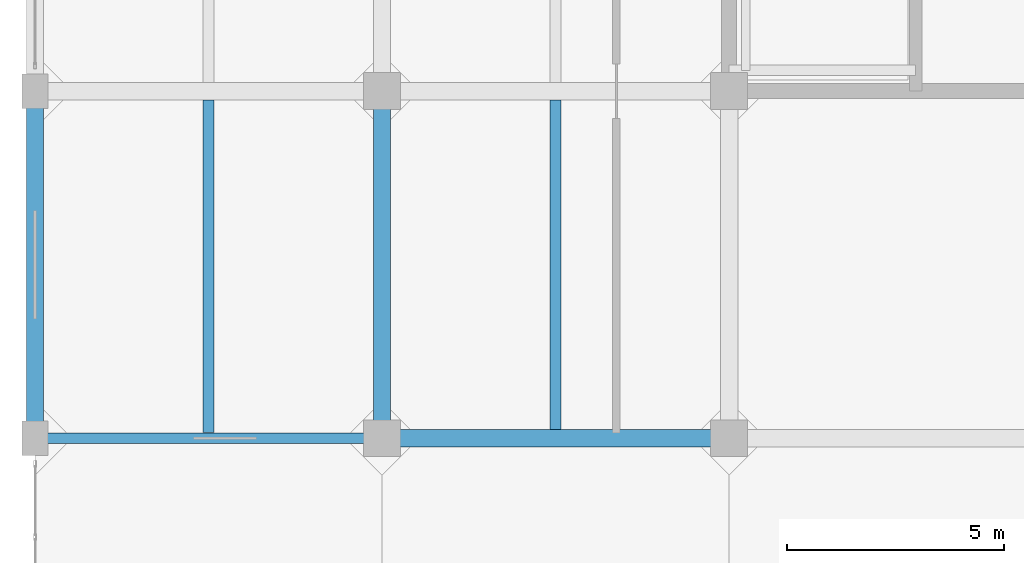
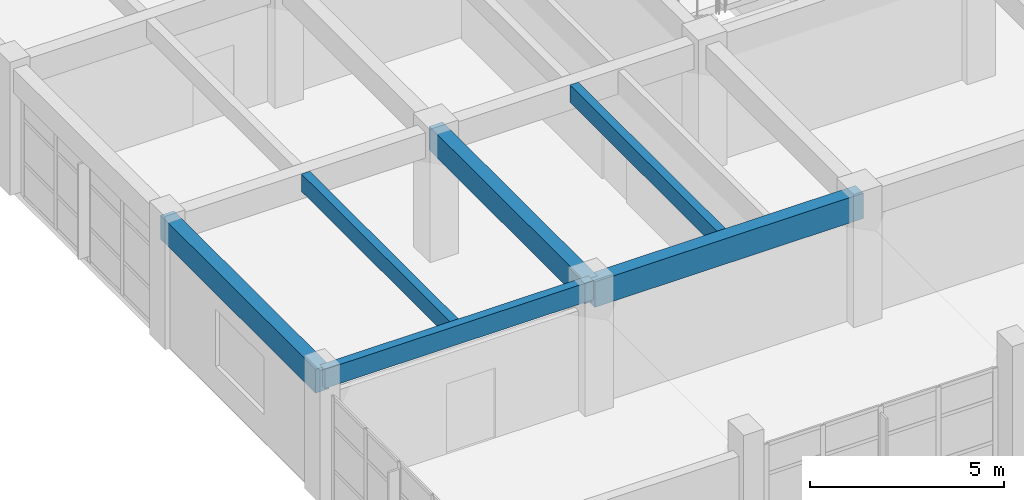
# One storey, part 4 of 27: 6 beams.
"""IFC4 building model written with IfcOpenShell, lengths in metres."""

import ifcopenshell
import ifcopenshell.guid

model = None  # the IFC model being written
_history = None  # IfcOwnerHistory: only IFC2X3 demands one
_inside = {}  # id of a spatial element -> (the spatial element, [elements in it])
_under = {}  # id of a project, library or spatial element -> (it, [spatial elements below it])
_declared = {}  # id of a project -> (the project, [libraries it declares])
_typed = {}  # id of a type object -> (the type object, [elements of that type])
_made_of = {}  # id of a material, layer set ... -> (it, [elements and type objects made of it])


def new_model(schema):
    """Start an empty IFC model of exactly this schema.

    Asked for "IFC4X3", IfcOpenShell would pick the latest addendum, in which some entities
    have other attributes; the version numbers below select the first issue.
    IFC2X3 requires an IfcOwnerHistory on every rooted entity: one is made here for all.
    """
    global model, _history
    if schema == "IFC4X3":
        model = ifcopenshell.file(schema_version=(4, 3, 0, 0))
    else:
        model = ifcopenshell.file(schema=schema)
    _inside.clear()
    _under.clear()
    _declared.clear()
    _typed.clear()
    _made_of.clear()
    _history = None
    if model.schema == "IFC2X3":
        org = make("IfcOrganization", Name="unknown")
        user = make(
            "IfcPersonAndOrganization",
            ThePerson=make("IfcPerson", FamilyName="unknown"),
            TheOrganization=org,
        )
        app = make(
            "IfcApplication",
            ApplicationDeveloper=org,
            Version="unknown",
            ApplicationFullName="unknown",
            ApplicationIdentifier="unknown",
        )
        _history = make(
            "IfcOwnerHistory",
            OwningUser=user,
            OwningApplication=app,
            ChangeAction="ADDED",
            CreationDate=0,
        )
    return model


def make(cls, **values):
    """One entity of the class cls with the attributes given. An attribute that is None is left unset."""
    return model.create_entity(
        cls, **{name: value for name, value in values.items() if value is not None}
    )


def rooted(cls, **values):
    """An entity with a GlobalId (a new one), such as an element, a storey or a relation."""
    return make(cls, GlobalId=ifcopenshell.guid.new(), OwnerHistory=_history, **values)


def si_unit(unit_type, name, prefix=None):
    """IfcSIUnit, for example si_unit("LENGTHUNIT", "METRE", prefix="MILLI")."""
    return make("IfcSIUnit", UnitType=unit_type, Prefix=prefix, Name=name)


def assignment(units):
    """IfcUnitAssignment: the units of a project."""
    return None if units is None else make("IfcUnitAssignment", Units=units)


def point(xyz):
    """IfcCartesianPoint."""
    return None if xyz is None else make("IfcCartesianPoint", Coordinates=xyz)


def direction(xyz):
    """IfcDirection."""
    return None if xyz is None else make("IfcDirection", DirectionRatios=xyz)


def frame(location, z_axis=None, x_axis=None):
    """IfcAxis2Placement3D, a coordinate frame: its origin and axes. An axis left out is left unset."""
    return make(
        "IfcAxis2Placement3D",
        Location=point(location),
        Axis=direction(z_axis),
        RefDirection=direction(x_axis),
    )


def frame_2d(location, x_axis=None):
    """IfcAxis2Placement2D, a coordinate frame in the plane: its origin and x axis."""
    return make(
        "IfcAxis2Placement2D", Location=point(location), RefDirection=direction(x_axis)
    )


def origin():
    """The frame at (0, 0, 0) with its axes left unset."""
    return frame((0.0, 0.0, 0.0))


def origin_2d():
    """The frame at (0, 0) in the plane with its x axis left unset."""
    return frame_2d((0.0, 0.0))


def place(relative_to, where):
    """IfcLocalPlacement: puts the frame where relative to a parent placement (None: the world)."""
    return make(
        "IfcLocalPlacement", PlacementRelTo=relative_to, RelativePlacement=where
    )


def context(
    kind, dimensions, precision=None, world=None, true_north=None, identifier=None
):
    """IfcGeometricRepresentationContext, for example the 3D "Model" context."""
    return make(
        "IfcGeometricRepresentationContext",
        ContextIdentifier=identifier,
        ContextType=kind,
        CoordinateSpaceDimension=dimensions,
        Precision=precision,
        WorldCoordinateSystem=world,
        TrueNorth=true_north,
    )


def subcontext(parent, identifier, kind, view, scale=None):
    """IfcGeometricRepresentationSubContext, for example "Body" below "Model"."""
    return make(
        "IfcGeometricRepresentationSubContext",
        ContextIdentifier=identifier,
        ContextType=kind,
        ParentContext=parent,
        TargetScale=scale,
        TargetView=view,
    )


def project(units=None, contexts=None):
    """IfcProject with its units and contexts."""
    return rooted(
        "IfcProject",
        Name="project",
        RepresentationContexts=contexts,
        UnitsInContext=assignment(units),
    )


def spatial(cls, under=None, at=None, **own):
    """A site, building, storey or space (cls), placed at a placement, below another one or the project."""
    s = rooted(cls, ObjectPlacement=at, **own)
    if under is not None:
        _under.setdefault(under.id(), (under, []))[1].append(s)
    return s


def profile(cls, at=None, kind="AREA", **sizes):
    """A parametric profile (cls). Its sizes go by their IFC names, for example OverallWidth=200.0."""
    return make(cls, ProfileType=kind, Position=at, **sizes)


def rectangle(**sizes):
    """IfcRectangleProfileDef."""
    return profile("IfcRectangleProfileDef", **sizes)


def extrude(swept, where, along, depth):
    """IfcExtrudedAreaSolid: the profile swept, set in the frame where, extruded along a direction by depth."""
    return make(
        "IfcExtrudedAreaSolid",
        SweptArea=swept,
        Position=where,
        ExtrudedDirection=direction(along),
        Depth=depth,
    )


def shape(context_of_items, identifier, shape_type, items):
    """IfcShapeRepresentation: the items that make up one representation, for example the "Body"."""
    return make(
        "IfcShapeRepresentation",
        ContextOfItems=context_of_items,
        RepresentationIdentifier=identifier,
        RepresentationType=shape_type,
        Items=items,
    )


def material(Name=None, Category=None):
    """IfcMaterial."""
    return make("IfcMaterial", Name=Name, Category=Category)


def material_profile(
    of_material, cross_section, Name=None, Category=None, Priority=None
):
    """IfcMaterialProfile: a cross section and its material."""
    return make(
        "IfcMaterialProfile",
        Name=Name,
        Material=of_material,
        Profile=cross_section,
        Priority=Priority,
        Category=Category,
    )


def profile_set(profiles, Name=None, composite=None):
    """IfcMaterialProfileSet."""
    return make(
        "IfcMaterialProfileSet",
        Name=Name,
        MaterialProfiles=profiles,
        CompositeProfile=composite,
    )


def made_of(thing, what):
    """Note that an element or type object is made of a material, layer set ...; save() writes the relation."""
    if what is not None:
        _made_of.setdefault(what.id(), (what, []))[1].append(thing)
    return thing


def type_object(cls, material=None, **own):
    """A type object (cls), such as IfcWallType, which elements share."""
    return made_of(rooted(cls, **own), material)


def element(
    cls,
    number,
    at=None,
    inside=None,
    cuts=None,
    type_object=None,
    material=None,
    context=None,
    identifier="Body",
    shape_type=None,
    held_by="IfcProductDefinitionShape",
    body=None,
    shapes=None,
    **own,
):
    """One element of the class cls, such as IfcWall. Its Tag is "e" and its number.

    at: its placement. inside: the storey or other place that contains it. cuts: it is an
    opening in that element (IfcRelVoidsElement). A single representation is given by context,
    identifier, shape_type and body (its items); several are given by shapes. held_by: the class
    of the entity that holds the representations. save() writes the other relations.
    """
    e = rooted(cls, Tag="e%d" % number, ObjectPlacement=at, **own)
    if body is not None:
        shapes = [shape(context, identifier, shape_type, body)]
    if shapes is not None:
        e.Representation = make(held_by, Representations=shapes)
    if inside is not None:
        _inside.setdefault(inside.id(), (inside, []))[1].append(e)
    if cuts is not None:
        rooted(
            "IfcRelVoidsElement", RelatingBuildingElement=cuts, RelatedOpeningElement=e
        )
    if type_object is not None:
        _typed.setdefault(type_object.id(), (type_object, []))[1].append(e)
    return made_of(e, material)


def aggregate(whole, parts):
    """IfcRelAggregates: a whole, such as a stair, and the parts it consists of."""
    return rooted("IfcRelAggregates", RelatingObject=whole, RelatedObjects=parts)


def save(model, path):
    """Write the relations noted so far, then the file.

    IfcRelAggregates (storeys below a building ...), IfcRelContainedInSpatialStructure (elements
    in a storey), IfcRelDefinesByType, IfcRelAssociatesMaterial and IfcRelDeclares: one each for
    every whole, place, type object, material and project.
    """
    for whole, parts in _under.values():
        aggregate(whole, parts)
    for where, things in _inside.values():
        rooted(
            "IfcRelContainedInSpatialStructure",
            RelatedElements=things,
            RelatingStructure=where,
        )
    for kind, things in _typed.values():
        rooted("IfcRelDefinesByType", RelatedObjects=things, RelatingType=kind)
    for what, things in _made_of.values():
        rooted("IfcRelAssociatesMaterial", RelatedObjects=things, RelatingMaterial=what)
    for by, libraries in _declared.values():
        rooted("IfcRelDeclares", RelatingContext=by, RelatedDefinitions=libraries)
    model.write(path)


model = new_model("IFC4")

# Units and contexts
model_context = context("Model", 3, precision=1e-05, world=origin(), true_north=direction((0.0, 1.0)))
body_context = subcontext(model_context, "Body", "Model", "MODEL_VIEW")
ifc_project = project(units=[si_unit("LENGTHUNIT", "METRE"), si_unit("AREAUNIT", "SQUARE_METRE"), si_unit("VOLUMEUNIT", "CUBIC_METRE"), si_unit("PLANEANGLEUNIT", "RADIAN"), si_unit("MASSUNIT", "GRAM", prefix="KILO")], contexts=[model_context])

# Site, building, storey
site_placement = place(None, origin())
site = spatial("IfcSite", under=ifc_project, at=site_placement, CompositionType="ELEMENT")
building_placement = place(site_placement, origin())
building = spatial("IfcBuilding", under=site, at=building_placement, Name="Canggui Botanical Conservatory", CompositionType="ELEMENT")
storey_placement = place(building_placement, frame((0.0, 0.0, 23.39990234375)))
storey = spatial("IfcBuildingStorey", under=building, at=storey_placement, Name="L06", CompositionType="ELEMENT", Elevation=23.39990234375)

# Beams
ifc_material = material(Name="Concrete C35", Category="concrete")
ifc_material_profile_1 = material_profile(ifc_material, rectangle(XDim=0.25, YDim=0.550048828125, at=origin_2d()), Name="RB 250x550")
ifc_profile_set_1 = profile_set([ifc_material_profile_1], Name="Concrete C35")
beam_type_1 = type_object("IfcBeamType", Name="BM-JST03", PredefinedType="JOIST", material=ifc_profile_set_1)
beam_1_placement = place(storey_placement, frame((142.0, 34.1298828125, 3.68505859375), z_axis=(0.0, 1.0, 0.0), x_axis=(-1.0, 0.0, 0.0)))
element("IfcBeam", 1, at=beam_1_placement, inside=storey, type_object=beam_type_1, Name="Secondary Floor Joist L06-1-1", PredefinedType="JOIST", context=body_context, shape_type="SweptSolid", body=[
    extrude(rectangle(XDim=0.25, YDim=0.550048828125, at=origin_2d()), origin(), (0.0, 0.0, 1.0), 7.6650390625),
])
beam_2_placement = place(storey_placement, frame((150.0, 34.205078125, 3.68505859375), z_axis=(0.0, 1.0, 0.0), x_axis=(-1.0, 0.0, 0.0)))
element("IfcBeam", 2, at=beam_2_placement, inside=storey, type_object=beam_type_1, Name="Secondary Floor Joist L06-2-1", PredefinedType="JOIST", context=body_context, shape_type="SweptSolid", body=[
    extrude(rectangle(XDim=0.25, YDim=0.550048828125, at=origin_2d()), origin(), (0.0, 0.0, 1.0), 7.58984375),
])
ifc_material_profile_2 = material_profile(ifc_material, rectangle(XDim=0.39990234375, YDim=0.800048828125, at=origin_2d()), Name="RB 400x800")
ifc_profile_set_2 = profile_set([ifc_material_profile_2], Name="Concrete C35")
beam_type_2 = type_object("IfcBeamType", Name="BM-KL09", PredefinedType="BEAM", material=ifc_profile_set_2)
beam_3_placement = place(storey_placement, frame((146.0, 34.0, 3.56005859375), z_axis=(1.0, 0.0, 0.0), x_axis=(0.0, 1.0, 0.0)))
element("IfcBeam", 3, at=beam_3_placement, inside=storey, type_object=beam_type_2, Name="Frame Girder L06 Y34-2", PredefinedType="BEAM", context=body_context, shape_type="SweptSolid", body=[
    extrude(rectangle(XDim=0.39990234375, YDim=0.800048828125, at=origin_2d()), origin(), (0.0, 0.0, 1.0), 8.0),
])
ifc_material_profile_3 = material_profile(ifc_material, rectangle(XDim=0.39990234375, YDim=0.75, at=origin_2d()), Name="RB 400x750")
ifc_profile_set_3 = profile_set([ifc_material_profile_3], Name="Concrete C35")
beam_type_3 = type_object("IfcBeamType", Name="BM-KL10", PredefinedType="BEAM", material=ifc_profile_set_3)
for number, where, z_axis, x_axis, name in (
    (4, (138.0, 34.0, 3.585205078125), (0.0, 1.0, 0.0), (-1.0, 0.0, 0.0), "Frame Girder L06 X138-1"),
    (5, (146.0, 34.0, 3.585205078125), (0.0, 1.0, 0.0), (-1.0, 0.0, 0.0), "Frame Girder L06 X146-1"),
):
    element("IfcBeam", number, at=place(storey_placement, frame(where, z_axis=z_axis, x_axis=x_axis)), inside=storey, type_object=beam_type_3, Name=name, PredefinedType="BEAM", context=body_context, shape_type="SweptSolid", body=[
        extrude(rectangle(XDim=0.39990234375, YDim=0.75, at=origin_2d()), origin(), (0.0, 0.0, 1.0), 8.0),
    ])
ifc_material_profile_4 = material_profile(ifc_material, rectangle(XDim=0.25, YDim=0.60009765625, at=origin_2d()), Name="RB 250x600")
ifc_profile_set_4 = profile_set([ifc_material_profile_4], Name="Concrete C35")
beam_type_4 = type_object("IfcBeamType", Name="BM-SPD02", PredefinedType="SPANDREL", material=ifc_profile_set_4)
beam_4_placement = place(storey_placement, frame((138.0, 34.0, 3.66015625), z_axis=(1.0, 0.0, 0.0), x_axis=(0.0, 1.0, 0.0)))
element("IfcBeam", 6, at=beam_4_placement, inside=storey, type_object=beam_type_4, Name="Frame Girder L06 Y34-1", PredefinedType="SPANDREL", context=body_context, shape_type="SweptSolid", body=[
    extrude(rectangle(XDim=0.25, YDim=0.60009765625, at=origin_2d()), origin(), (0.0, 0.0, 1.0), 8.0),
])

save(model, "model.ifc")
